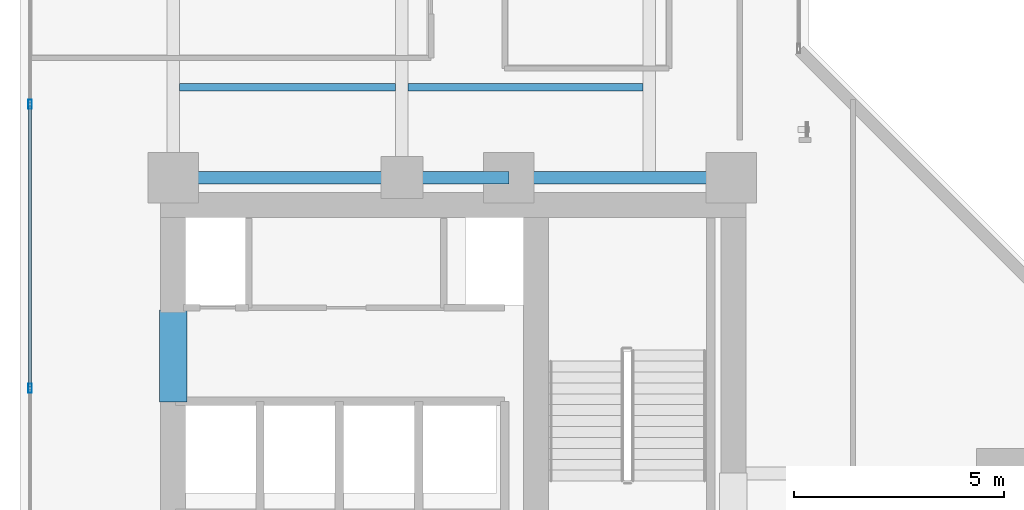
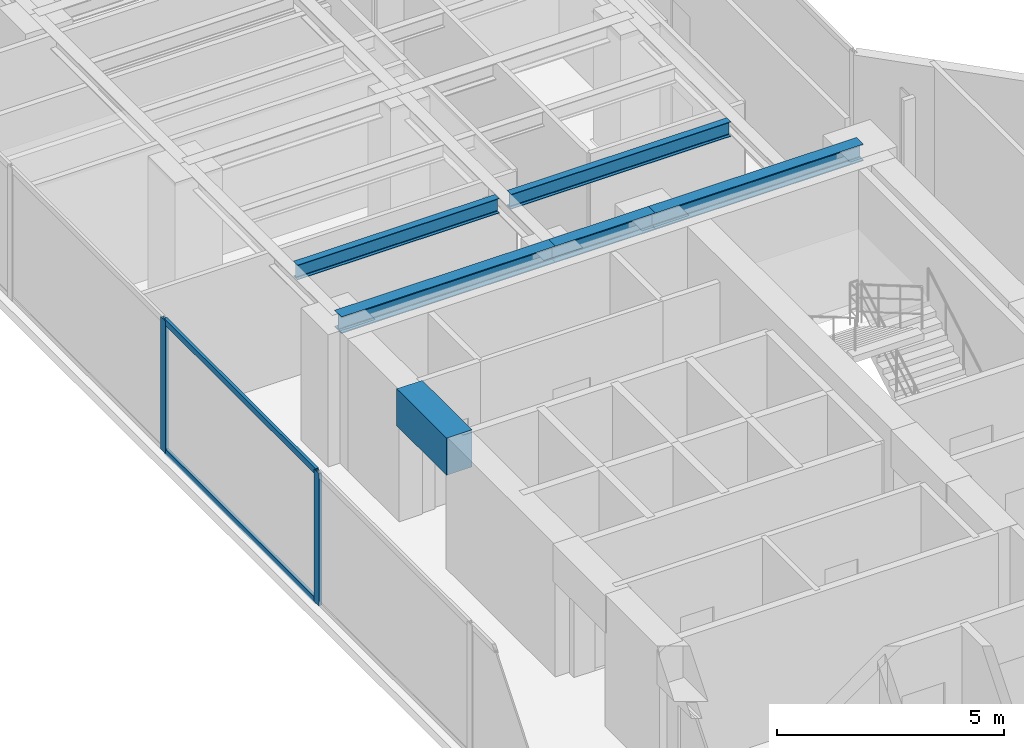
# One storey, part 6 of 24: 6 beams, 4 members, 1 element without a shape of its own.
"""IFC4 building model written with IfcOpenShell, lengths in metres."""

from ifc_helpers import new_model, si_unit, direction, frame, origin, origin_with_axes, origin_2d, place, context, subcontext, project, spatial, rectangle, hollow_rectangle, i_section, extrude, source, transform, mapped, material, layer, layer_set, material_profile, profile_set, type_object, element, aggregate, save


model = new_model("IFC4")

# Units and contexts
model_context = context("Model", 3, precision=1e-05, world=origin(), true_north=direction((0.0, 1.0)))
body_context = subcontext(model_context, "Body", "Model", "MODEL_VIEW")
ifc_project = project(units=[si_unit("LENGTHUNIT", "METRE"), si_unit("AREAUNIT", "SQUARE_METRE"), si_unit("VOLUMEUNIT", "CUBIC_METRE"), si_unit("PLANEANGLEUNIT", "RADIAN"), si_unit("MASSUNIT", "GRAM", prefix="KILO")], contexts=[model_context])

# Site, building, storey
site_placement = place(None, origin())
site = spatial("IfcSite", under=ifc_project, at=site_placement, CompositionType="ELEMENT")
building_placement = place(site_placement, origin())
building = spatial("IfcBuilding", under=site, at=building_placement, Name="Kolvaren Waterfront Exchange", CompositionType="ELEMENT")
storey_placement = place(building_placement, frame((0.0, 0.0, 157.60009765625)))
storey = spatial("IfcBuildingStorey", under=building, at=storey_placement, Name="L40", CompositionType="ELEMENT", Elevation=157.60009765625)

# Beams
ifc_material_1 = material(Name="Steel S355", Category="steel")
ifc_material_profile_1 = material_profile(ifc_material_1, i_section(OverallWidth=0.300048828125, OverallDepth=0.449951171875, WebThickness=0.013916015625, FlangeThickness=0.02587890625, FilletRadius=0.027099609375, at=origin_2d()), Name="HEB450")
ifc_profile_set_1 = profile_set([ifc_material_profile_1], Name="Steel S355")
beam_type_1 = type_object("IfcBeamType", Name="STR-BM-HEB450", PredefinedType="BEAM", material=ifc_profile_set_1)
beam_1_placement = place(storey_placement, frame((7.449951171875, 24.449951171875, 3.3349609375), z_axis=(1.0, 0.0, 0.0), x_axis=(0.0, 1.0, 0.0)))
element("IfcBeam", 1, at=beam_1_placement, inside=storey, type_object=beam_type_1, Name="L40 north-arm girder 1A", PredefinedType="BEAM", context=body_context, shape_type="SweptSolid", body=[
    extrude(i_section(OverallWidth=0.300048828125, OverallDepth=0.449951171875, WebThickness=0.013916015625, FlangeThickness=0.02587890625, FilletRadius=0.027099609375, at=origin_2d()), origin(), (0.0, 0.0, 1.0), 5.449951171875),
])
beam_2_placement = place(storey_placement, frame((12.89990234375, 24.449951171875, 3.3349609375), z_axis=(1.0, 0.0, 0.0), x_axis=(0.0, 1.0, 0.0)))
element("IfcBeam", 2, at=beam_2_placement, inside=storey, type_object=beam_type_1, Name="L40 north-arm girder 1B", PredefinedType="BEAM", context=body_context, shape_type="SweptSolid", body=[
    extrude(i_section(OverallWidth=0.300048828125, OverallDepth=0.449951171875, WebThickness=0.013916015625, FlangeThickness=0.02587890625, FilletRadius=0.027099609375, at=origin_2d()), origin(), (0.0, 0.0, 1.0), 2.550048828125),
])
beam_3_placement = place(storey_placement, frame((15.449951171875, 24.449951171875, 3.3349609375), z_axis=(1.0, 0.0, 0.0), x_axis=(0.0, 1.0, 0.0)))
element("IfcBeam", 3, at=beam_3_placement, inside=storey, type_object=beam_type_1, Name="L40 north-arm girder 1C", PredefinedType="BEAM", context=body_context, shape_type="SweptSolid", body=[
    extrude(i_section(OverallWidth=0.300048828125, OverallDepth=0.449951171875, WebThickness=0.013916015625, FlangeThickness=0.02587890625, FilletRadius=0.027099609375, at=origin_2d()), origin(), (0.0, 0.0, 1.0), 5.300048828125),
])
ifc_material_profile_2 = material_profile(ifc_material_1, i_section(OverallWidth=0.179931640625, OverallDepth=0.39990234375, WebThickness=0.008544921875, FlangeThickness=0.013427734375, FilletRadius=0.02099609375, at=origin_2d()), Name="IPE400")
ifc_profile_set_2 = profile_set([ifc_material_profile_2], Name="Steel S355")
beam_type_2 = type_object("IfcBeamType", Name="STR-BM-IPE400", PredefinedType="JOIST", material=ifc_profile_set_2)
beam_4_placement = place(storey_placement, frame((7.60205078125, 26.60009765625, 3.35986328125), z_axis=(1.0, 0.0, 0.0), x_axis=(0.0, 1.0, 0.0)))
element("IfcBeam", 4, at=beam_4_placement, inside=storey, type_object=beam_type_2, Name="L40 north-arm composite joist 1A", PredefinedType="JOIST", context=body_context, shape_type="SweptSolid", body=[
    extrude(i_section(OverallWidth=0.179931640625, OverallDepth=0.39990234375, WebThickness=0.008544921875, FlangeThickness=0.013427734375, FilletRadius=0.02099609375, at=origin_2d()), origin(), (0.0, 0.0, 1.0), 5.14599609375),
])
beam_5_placement = place(storey_placement, frame((13.052001953125, 26.60009765625, 3.35986328125), z_axis=(1.0, 0.0, 0.0), x_axis=(0.0, 1.0, 0.0)))
element("IfcBeam", 5, at=beam_5_placement, inside=storey, type_object=beam_type_2, Name="L40 north-arm composite joist 1B", PredefinedType="JOIST", context=body_context, shape_type="SweptSolid", body=[
    extrude(i_section(OverallWidth=0.179931640625, OverallDepth=0.39990234375, WebThickness=0.008544921875, FlangeThickness=0.013427734375, FilletRadius=0.02099609375, at=origin_2d()), origin(), (0.0, 0.0, 1.0), 5.595947265625),
])
ifc_material_2 = material(Name="Concrete C60/75", Category="concrete")
ifc_material_profile_3 = material_profile(ifc_material_2, rectangle(XDim=0.64990234375, YDim=1.0, at=origin_2d()), Name="RC-CB-1000x650")
ifc_profile_set_3 = profile_set([ifc_material_profile_3], Name="Concrete C60/75")
beam_type_3 = type_object("IfcBeamType", Name="STR-CB-1000", PredefinedType="SPANDREL", material=ifc_profile_set_3)
beam_6_placement = place(storey_placement, frame((7.449951171875, 19.10009765625, 3.059814453125), z_axis=(0.0, 1.0, 0.0), x_axis=(-1.0, 0.0, 0.0)))
element("IfcBeam", 6, at=beam_6_placement, inside=storey, type_object=beam_type_3, Name="L40 core coupling beam 5", PredefinedType="SPANDREL", context=body_context, shape_type="SweptSolid", body=[
    extrude(rectangle(XDim=0.64990234375, YDim=1.0, at=origin_2d()), origin(), (0.0, 0.0, 1.0), 2.199951171875),
])

# Curtain wall, members
ifc_material_3 = material(Name="Anodised aluminium 6063-T6", Category="aluminium")
ifc_layer = layer(ifc_material_3, 0.219970703125, Name="Anodised aluminium 6063-T6")
ifc_layer_set = layer_set([ifc_layer], Name="Anodised aluminium 6063-T6")
curtain_wall_type = type_object("IfcCurtainWallType", Name="ARC-CW-SYS2", PredefinedType="USERDEFINED", material=ifc_layer_set)
curtain_wall_placement = place(storey_placement, origin())
curtain_wall = element("IfcCurtainWall", 7, at=curtain_wall_placement, inside=storey, type_object=curtain_wall_type, Name="L40 stick curtain wall CW2 (CW-L40-W)", ObjectType="STICK CURTAIN WALL", PredefinedType="USERDEFINED")
ifc_material_profile_4 = material_profile(ifc_material_3, hollow_rectangle(XDim=0.074951171875, YDim=0.159912109375, WallThickness=0.00439453125, at=origin_2d()), Name="ALU-TRN-160x75x4.5")
ifc_profile_set_4 = profile_set([ifc_material_profile_4], Name="Anodised aluminium 6063-T6")
member_type_1 = type_object("IfcMemberType", Name="ARC-CWT-160", PredefinedType="USERDEFINED", material=ifc_profile_set_4)
shared_shape_1 = source(origin_with_axes(), body_context, "Body", "SweptSolid", [
    extrude(hollow_rectangle(XDim=0.074951171875, YDim=0.159912109375, WallThickness=0.00439453125, at=origin_2d()), origin(), (0.0, 0.0, 1.0), 6.6865234375),
])
member_1_placement = place(storey_placement, frame((4.0400390625, 19.473388671875, 0.037353515625), z_axis=(0.0, 1.0, 0.0), x_axis=(-1.0, 0.0, 0.0)))
member_1 = element("IfcMember", 8, at=member_1_placement, type_object=member_type_1, Name="CW2 transom 3.1", ObjectType="TRANSOM", PredefinedType="USERDEFINED", context=body_context, shape_type="MappedRepresentation", body=[
    mapped(shared_shape_1, transform((0.0, 0.0, 0.0), x_axis=(1.0, 0.0, 0.0), y_axis=(0.0, 1.0, 0.0), z_axis=(0.0, 0.0, 1.0), scale=1.0)),
])
member_2_placement = place(storey_placement, frame((4.0400390625, 19.473388671875, 3.5224609375), z_axis=(0.0, 1.0, 0.0), x_axis=(-1.0, 0.0, 0.0)))
member_2 = element("IfcMember", 9, at=member_2_placement, type_object=member_type_1, Name="CW2 transom 3.2", ObjectType="TRANSOM", PredefinedType="USERDEFINED", context=body_context, shape_type="MappedRepresentation", body=[
    mapped(shared_shape_1, transform((0.0, 0.0, 0.0), x_axis=(1.0, 0.0, 0.0), y_axis=(0.0, 1.0, 0.0), z_axis=(0.0, 0.0, 1.0), scale=1.0)),
])
ifc_material_profile_5 = material_profile(ifc_material_3, hollow_rectangle(XDim=0.080078125, YDim=0.219970703125, WallThickness=0.0048828125, at=origin_2d()), Name="ALU-MUL-220x80x5")
ifc_profile_set_5 = profile_set([ifc_material_profile_5], Name="Anodised aluminium 6063-T6")
member_type_2 = type_object("IfcMemberType", Name="ARC-CWM-220", PredefinedType="MULLION", material=ifc_profile_set_5)
shared_shape_2 = source(origin_with_axes(), body_context, "Body", "SweptSolid", [
    extrude(hollow_rectangle(XDim=0.080078125, YDim=0.219970703125, WallThickness=0.0048828125, at=origin_2d()), origin(), (0.0, 0.0, 1.0), 3.559814453125),
])
member_3_placement = place(storey_placement, frame((4.0400390625, 19.433349609375, 0.0), z_axis=(0.0, 0.0, 1.0), x_axis=(-1.0, 0.0, 0.0)))
member_3 = element("IfcMember", 10, at=member_3_placement, type_object=member_type_2, Name="CW2 mullion 3", PredefinedType="MULLION", context=body_context, shape_type="MappedRepresentation", body=[
    mapped(shared_shape_2, transform((0.0, 0.0, 0.0), x_axis=(1.0, 0.0, 0.0), y_axis=(0.0, 1.0, 0.0), z_axis=(0.0, 0.0, 1.0), scale=1.0)),
])
member_4_placement = place(storey_placement, frame((4.0400390625, 26.199951171875, 0.0), z_axis=(0.0, 0.0, 1.0), x_axis=(-1.0, 0.0, 0.0)))
member_4 = element("IfcMember", 11, at=member_4_placement, type_object=member_type_2, Name="CW2 mullion 4", PredefinedType="MULLION", context=body_context, shape_type="MappedRepresentation", body=[
    mapped(shared_shape_2, transform((0.0, 0.0, 0.0), x_axis=(1.0, 0.0, 0.0), y_axis=(0.0, 1.0, 0.0), z_axis=(0.0, 0.0, 1.0), scale=1.0)),
])
aggregate(curtain_wall, [member_3, member_4, member_1, member_2])

save(model, "model.ifc")
